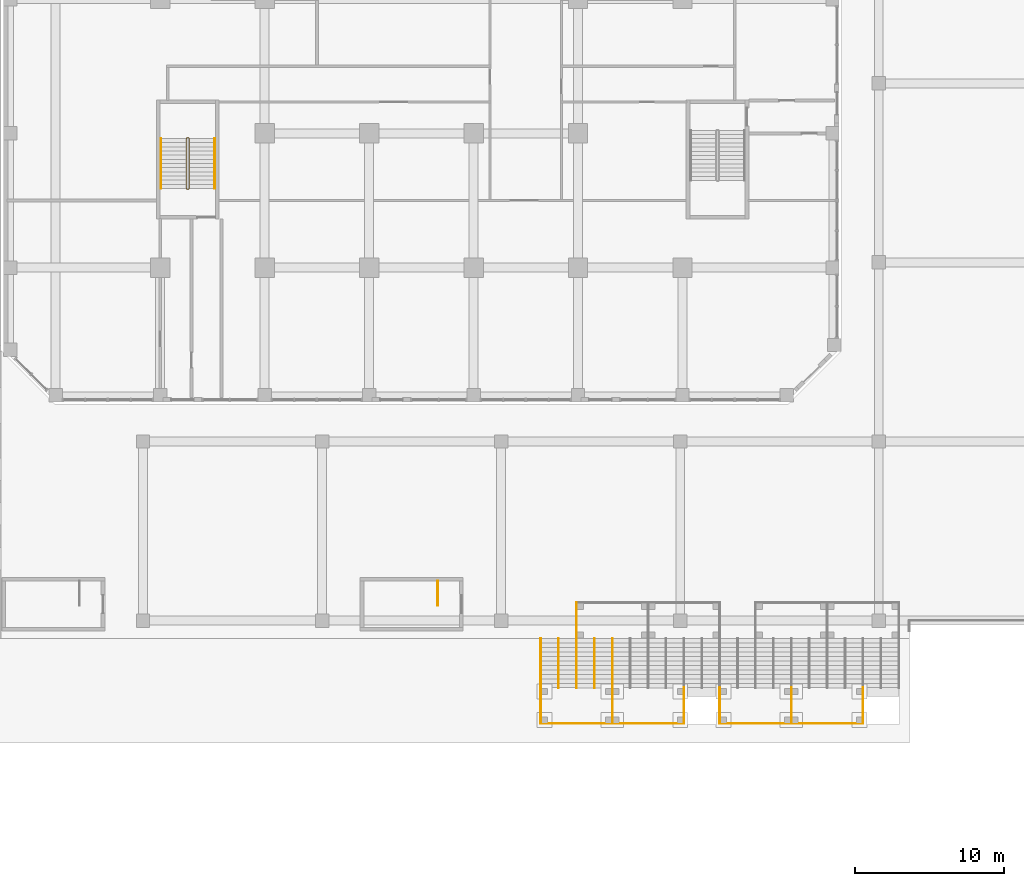
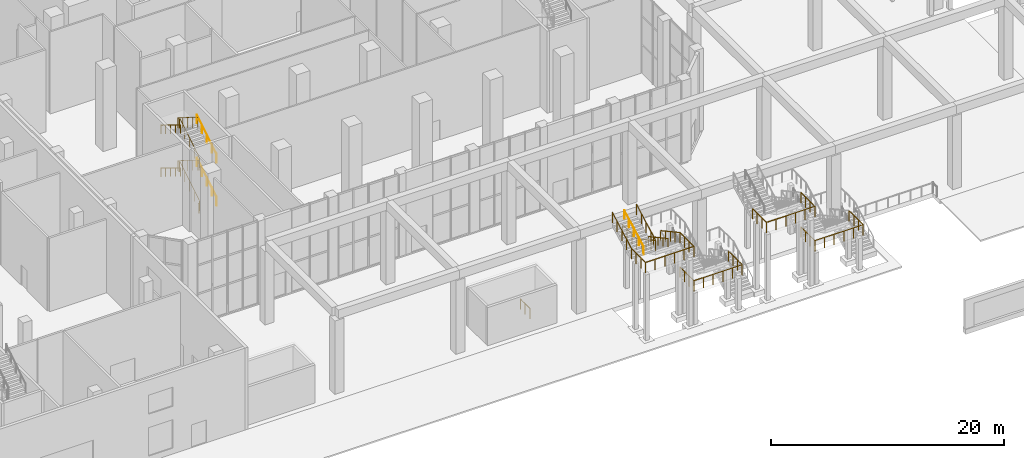
# One storey, part 32 of 43: 25 railings.
"""IFC4 building model written with IfcOpenShell, lengths in metres."""

import ifcopenshell
import ifcopenshell.guid

model = None  # the IFC model being written
_history = None  # IfcOwnerHistory: only IFC2X3 demands one
_inside = {}  # id of a spatial element -> (the spatial element, [elements in it])
_under = {}  # id of a project, library or spatial element -> (it, [spatial elements below it])
_declared = {}  # id of a project -> (the project, [libraries it declares])
_typed = {}  # id of a type object -> (the type object, [elements of that type])
_made_of = {}  # id of a material, layer set ... -> (it, [elements and type objects made of it])


def new_model(schema):
    """Start an empty IFC model of exactly this schema.

    Asked for "IFC4X3", IfcOpenShell would pick the latest addendum, in which some entities
    have other attributes; the version numbers below select the first issue.
    IFC2X3 requires an IfcOwnerHistory on every rooted entity: one is made here for all.
    """
    global model, _history
    if schema == "IFC4X3":
        model = ifcopenshell.file(schema_version=(4, 3, 0, 0))
    else:
        model = ifcopenshell.file(schema=schema)
    _inside.clear()
    _under.clear()
    _declared.clear()
    _typed.clear()
    _made_of.clear()
    _history = None
    if model.schema == "IFC2X3":
        org = make("IfcOrganization", Name="unknown")
        user = make(
            "IfcPersonAndOrganization",
            ThePerson=make("IfcPerson", FamilyName="unknown"),
            TheOrganization=org,
        )
        app = make(
            "IfcApplication",
            ApplicationDeveloper=org,
            Version="unknown",
            ApplicationFullName="unknown",
            ApplicationIdentifier="unknown",
        )
        _history = make(
            "IfcOwnerHistory",
            OwningUser=user,
            OwningApplication=app,
            ChangeAction="ADDED",
            CreationDate=0,
        )
    return model


def make(cls, **values):
    """One entity of the class cls with the attributes given. An attribute that is None is left unset."""
    return model.create_entity(
        cls, **{name: value for name, value in values.items() if value is not None}
    )


def rooted(cls, **values):
    """An entity with a GlobalId (a new one), such as an element, a storey or a relation."""
    return make(cls, GlobalId=ifcopenshell.guid.new(), OwnerHistory=_history, **values)


def si_unit(unit_type, name, prefix=None):
    """IfcSIUnit, for example si_unit("LENGTHUNIT", "METRE", prefix="MILLI")."""
    return make("IfcSIUnit", UnitType=unit_type, Prefix=prefix, Name=name)


def assignment(units):
    """IfcUnitAssignment: the units of a project."""
    return None if units is None else make("IfcUnitAssignment", Units=units)


def point(xyz):
    """IfcCartesianPoint."""
    return None if xyz is None else make("IfcCartesianPoint", Coordinates=xyz)


def direction(xyz):
    """IfcDirection."""
    return None if xyz is None else make("IfcDirection", DirectionRatios=xyz)


def frame(location, z_axis=None, x_axis=None):
    """IfcAxis2Placement3D, a coordinate frame: its origin and axes. An axis left out is left unset."""
    return make(
        "IfcAxis2Placement3D",
        Location=point(location),
        Axis=direction(z_axis),
        RefDirection=direction(x_axis),
    )


def frame_2d(location, x_axis=None):
    """IfcAxis2Placement2D, a coordinate frame in the plane: its origin and x axis."""
    return make(
        "IfcAxis2Placement2D", Location=point(location), RefDirection=direction(x_axis)
    )


def origin():
    """The frame at (0, 0, 0) with its axes left unset."""
    return frame((0.0, 0.0, 0.0))


def origin_2d():
    """The frame at (0, 0) in the plane with its x axis left unset."""
    return frame_2d((0.0, 0.0))


def place(relative_to, where):
    """IfcLocalPlacement: puts the frame where relative to a parent placement (None: the world)."""
    return make(
        "IfcLocalPlacement", PlacementRelTo=relative_to, RelativePlacement=where
    )


def context(
    kind, dimensions, precision=None, world=None, true_north=None, identifier=None
):
    """IfcGeometricRepresentationContext, for example the 3D "Model" context."""
    return make(
        "IfcGeometricRepresentationContext",
        ContextIdentifier=identifier,
        ContextType=kind,
        CoordinateSpaceDimension=dimensions,
        Precision=precision,
        WorldCoordinateSystem=world,
        TrueNorth=true_north,
    )


def subcontext(parent, identifier, kind, view, scale=None):
    """IfcGeometricRepresentationSubContext, for example "Body" below "Model"."""
    return make(
        "IfcGeometricRepresentationSubContext",
        ContextIdentifier=identifier,
        ContextType=kind,
        ParentContext=parent,
        TargetScale=scale,
        TargetView=view,
    )


def project(units=None, contexts=None):
    """IfcProject with its units and contexts."""
    return rooted(
        "IfcProject",
        Name="project",
        RepresentationContexts=contexts,
        UnitsInContext=assignment(units),
    )


def spatial(cls, under=None, at=None, **own):
    """A site, building, storey or space (cls), placed at a placement, below another one or the project."""
    s = rooted(cls, ObjectPlacement=at, **own)
    if under is not None:
        _under.setdefault(under.id(), (under, []))[1].append(s)
    return s


def profile(cls, at=None, kind="AREA", **sizes):
    """A parametric profile (cls). Its sizes go by their IFC names, for example OverallWidth=200.0."""
    return make(cls, ProfileType=kind, Position=at, **sizes)


def circle(**sizes):
    """IfcCircleProfileDef."""
    return profile("IfcCircleProfileDef", **sizes)


def extrude(swept, where, along, depth):
    """IfcExtrudedAreaSolid: the profile swept, set in the frame where, extruded along a direction by depth."""
    return make(
        "IfcExtrudedAreaSolid",
        SweptArea=swept,
        Position=where,
        ExtrudedDirection=direction(along),
        Depth=depth,
    )


def shape(context_of_items, identifier, shape_type, items):
    """IfcShapeRepresentation: the items that make up one representation, for example the "Body"."""
    return make(
        "IfcShapeRepresentation",
        ContextOfItems=context_of_items,
        RepresentationIdentifier=identifier,
        RepresentationType=shape_type,
        Items=items,
    )


def material(Name=None, Category=None):
    """IfcMaterial."""
    return make("IfcMaterial", Name=Name, Category=Category)


def made_of(thing, what):
    """Note that an element or type object is made of a material, layer set ...; save() writes the relation."""
    if what is not None:
        _made_of.setdefault(what.id(), (what, []))[1].append(thing)
    return thing


def type_object(cls, material=None, **own):
    """A type object (cls), such as IfcWallType, which elements share."""
    return made_of(rooted(cls, **own), material)


def element(
    cls,
    number,
    at=None,
    inside=None,
    cuts=None,
    type_object=None,
    material=None,
    context=None,
    identifier="Body",
    shape_type=None,
    held_by="IfcProductDefinitionShape",
    body=None,
    shapes=None,
    **own,
):
    """One element of the class cls, such as IfcWall. Its Tag is "e" and its number.

    at: its placement. inside: the storey or other place that contains it. cuts: it is an
    opening in that element (IfcRelVoidsElement). A single representation is given by context,
    identifier, shape_type and body (its items); several are given by shapes. held_by: the class
    of the entity that holds the representations. save() writes the other relations.
    """
    e = rooted(cls, Tag="e%d" % number, ObjectPlacement=at, **own)
    if body is not None:
        shapes = [shape(context, identifier, shape_type, body)]
    if shapes is not None:
        e.Representation = make(held_by, Representations=shapes)
    if inside is not None:
        _inside.setdefault(inside.id(), (inside, []))[1].append(e)
    if cuts is not None:
        rooted(
            "IfcRelVoidsElement", RelatingBuildingElement=cuts, RelatedOpeningElement=e
        )
    if type_object is not None:
        _typed.setdefault(type_object.id(), (type_object, []))[1].append(e)
    return made_of(e, material)


def aggregate(whole, parts):
    """IfcRelAggregates: a whole, such as a stair, and the parts it consists of."""
    return rooted("IfcRelAggregates", RelatingObject=whole, RelatedObjects=parts)


def save(model, path):
    """Write the relations noted so far, then the file.

    IfcRelAggregates (storeys below a building ...), IfcRelContainedInSpatialStructure (elements
    in a storey), IfcRelDefinesByType, IfcRelAssociatesMaterial and IfcRelDeclares: one each for
    every whole, place, type object, material and project.
    """
    for whole, parts in _under.values():
        aggregate(whole, parts)
    for where, things in _inside.values():
        rooted(
            "IfcRelContainedInSpatialStructure",
            RelatedElements=things,
            RelatingStructure=where,
        )
    for kind, things in _typed.values():
        rooted("IfcRelDefinesByType", RelatedObjects=things, RelatingType=kind)
    for what, things in _made_of.values():
        rooted("IfcRelAssociatesMaterial", RelatedObjects=things, RelatingMaterial=what)
    for by, libraries in _declared.values():
        rooted("IfcRelDeclares", RelatingContext=by, RelatedDefinitions=libraries)
    model.write(path)


model = new_model("IFC4")

# Units and contexts
model_context = context("Model", 3, precision=1e-05, world=origin(), true_north=direction((0.0, 1.0)))
body_context = subcontext(model_context, "Body", "Model", "MODEL_VIEW")
ifc_project = project(units=[si_unit("LENGTHUNIT", "METRE"), si_unit("AREAUNIT", "SQUARE_METRE"), si_unit("VOLUMEUNIT", "CUBIC_METRE"), si_unit("PLANEANGLEUNIT", "RADIAN"), si_unit("MASSUNIT", "GRAM", prefix="KILO")], contexts=[model_context])

# Site, building, storey
site_placement = place(None, origin())
site = spatial("IfcSite", under=ifc_project, at=site_placement, CompositionType="ELEMENT")
building_placement = place(site_placement, origin())
building = spatial("IfcBuilding", under=site, at=building_placement, Name="Kilnfold Tower and Market Hall", CompositionType="ELEMENT")
storey_placement = place(building_placement, origin())
storey = spatial("IfcBuildingStorey", under=building, at=storey_placement, Name="L00", CompositionType="ELEMENT", Elevation=0.0)

# Railings
ifc_material_1 = material(Name="Stainless steel 316", Category="steel")
railing_type_1 = type_object("IfcRailingType", Name="CAR PARK STAIR GUARD 1100", PredefinedType="GUARDRAIL", material=ifc_material_1)
railing_1_placement = place(storey_placement, frame((1.10009765625, -40.0, 0.0)))
element("IfcRailing", 1, at=railing_1_placement, inside=storey, type_object=railing_type_1, Name="L00 CS2 top well guard 1", PredefinedType="GUARDRAIL", context=body_context, shape_type="SweptSolid", body=[
    extrude(circle(Radius=0.02392578125, at=origin_2d()), frame((0.0, 0.0, 1.076171875), z_axis=(0.0, -1.0, 0.0), x_axis=(1.0, 0.0, 0.0)), (0.0, 0.0, 1.0), 1.64990234375),
    extrude(circle(Radius=0.02099609375, at=origin_2d()), origin(), (0.0, 0.0, 1.0), 1.052001953125),
    extrude(circle(Radius=0.02099609375, at=origin_2d()), frame((0.0, -0.824951171875, 0.0)), (0.0, 0.0, 1.0), 1.052001953125),
    extrude(circle(Radius=0.02099609375, at=origin_2d()), frame((0.0, -1.64990234375, 0.0)), (0.0, 0.0, 1.0), 1.052001953125),
])
ifc_material_2 = material(Name="Stainless steel 316", Category="steel")
railing_type_2 = type_object("IfcRailingType", Name="CORE STAIR GUARD 1100", PredefinedType="GUARDRAIL", material=ifc_material_2)
railing_2_placement = place(storey_placement, frame((-15.699951171875, -13.75, 0.0)))
element("IfcRailing", 2, at=railing_2_placement, inside=storey, type_object=railing_type_2, Name="L00 ST3 stair guard 1", PredefinedType="GUARDRAIL", context=body_context, shape_type="SweptSolid", body=[
    extrude(circle(Radius=0.02392578125, at=origin_2d()), frame((0.0, 0.0, 1.076171875), z_axis=(1.0, 0.0, 0.0), x_axis=(0.0, 1.0, 0.0)), (0.0, 0.0, 1.0), 0.099853515625),
    extrude(circle(Radius=0.02392578125, at=origin_2d()), frame((0.099853515625, 0.0, 1.076171875), z_axis=(0.267629722418, 0.267629722418, 0.925607186314), x_axis=(-0.707106781187, 0.707106781187, 0.0)), (0.0, 0.0, 1.0), 0.18701171875),
    extrude(circle(Radius=0.02392578125, at=origin_2d()), frame((0.14990234375, 0.050048828125, 1.2490234375), z_axis=(0.0, 0.850606129759, 0.525803396734), x_axis=(-1.0, 0.0, 0.0)), (0.0, 0.0, 1.0), 3.949951171875),
    extrude(circle(Radius=0.02392578125, at=origin_2d()), frame((0.14990234375, 3.409912109375, 3.326171875), z_axis=(-0.707106781187, 0.707106781187, 0.0), x_axis=(-0.707106781187, -0.707106781187, 0.0)), (0.0, 0.0, 1.0), 0.07080078125),
    extrude(circle(Radius=0.02392578125, at=origin_2d()), frame((0.099853515625, 3.4599609375, 3.326171875), z_axis=(-1.0, 0.0, 0.0), x_axis=(0.0, -1.0, 0.0)), (0.0, 0.0, 1.0), 0.099853515625),
    extrude(circle(Radius=0.02392578125, at=origin_2d()), frame((0.0, 3.4599609375, 3.326171875), z_axis=(-0.267629722418, -0.267629722418, 0.925607186314), x_axis=(0.707106781187, -0.707106781187, 0.0)), (0.0, 0.0, 1.0), 0.18701171875),
    extrude(circle(Radius=0.02392578125, at=origin_2d()), frame((-0.050048828125, 3.409912109375, 3.4990234375), z_axis=(0.0, -0.850606129759, 0.525803396734), x_axis=(1.0, 0.0, 0.0)), (0.0, 0.0, 1.0), 3.949951171875),
    extrude(circle(Radius=0.02392578125, at=origin_2d()), frame((-0.050048828125, 0.050048828125, 5.576171875), z_axis=(0.707106781187, -0.707106781187, 0.0), x_axis=(0.707106781187, 0.707106781187, 0.0)), (0.0, 0.0, 1.0), 0.07080078125),
    extrude(circle(Radius=0.02392578125, at=origin_2d()), frame((0.0, 0.0, 5.576171875), z_axis=(1.0, 0.0, 0.0), x_axis=(0.0, 1.0, 0.0)), (0.0, 0.0, 1.0), 0.099853515625),
    extrude(circle(Radius=0.02392578125, at=origin_2d()), frame((0.099853515625, 0.0, 5.576171875), z_axis=(0.267629722418, 0.267629722418, 0.925607186314), x_axis=(-0.707106781187, 0.707106781187, 0.0)), (0.0, 0.0, 1.0), 0.18701171875),
    extrude(circle(Radius=0.02392578125, at=origin_2d()), frame((0.14990234375, 0.050048828125, 5.7490234375), z_axis=(0.0, 0.850606129759, 0.525803396734), x_axis=(-1.0, 0.0, 0.0)), (0.0, 0.0, 1.0), 3.949951171875),
    extrude(circle(Radius=0.02392578125, at=origin_2d()), frame((0.14990234375, 3.409912109375, 7.826171875), z_axis=(-0.707106781187, 0.707106781187, 0.0), x_axis=(-0.707106781187, -0.707106781187, 0.0)), (0.0, 0.0, 1.0), 0.07080078125),
    extrude(circle(Radius=0.02392578125, at=origin_2d()), frame((0.099853515625, 3.4599609375, 7.826171875), z_axis=(-1.0, 0.0, 0.0), x_axis=(0.0, -1.0, 0.0)), (0.0, 0.0, 1.0), 0.099853515625),
    extrude(circle(Radius=0.02392578125, at=origin_2d()), frame((0.0, 3.4599609375, 7.826171875), z_axis=(-0.267629722418, -0.267629722418, 0.925607186314), x_axis=(0.707106781187, -0.707106781187, 0.0)), (0.0, 0.0, 1.0), 0.18701171875),
    extrude(circle(Radius=0.02392578125, at=origin_2d()), frame((-0.050048828125, 3.409912109375, 7.9990234375), z_axis=(0.0, -0.850606129759, 0.525803396734), x_axis=(1.0, 0.0, 0.0)), (0.0, 0.0, 1.0), 3.949951171875),
    extrude(circle(Radius=0.02099609375, at=origin_2d()), origin(), (0.0, 0.0, 1.0), 1.052001953125),
    extrude(circle(Radius=0.02099609375, at=origin_2d()), frame((0.099853515625, 0.0, 0.0)), (0.0, 0.0, 1.0), 1.052001953125),
    extrude(circle(Radius=0.02099609375, at=origin_2d()), frame((0.14990234375, 0.050048828125, 0.173095703125)), (0.0, 0.0, 1.0), 1.052001953125),
    extrude(circle(Radius=0.02099609375, at=origin_2d()), frame((0.14990234375, 0.89013671875, 0.6923828125)), (0.0, 0.0, 1.0), 1.052001953125),
    extrude(circle(Radius=0.02099609375, at=origin_2d()), frame((0.14990234375, 1.72998046875, 1.21142578125)), (0.0, 0.0, 1.0), 1.052001953125),
    extrude(circle(Radius=0.02099609375, at=origin_2d()), frame((0.14990234375, 2.56982421875, 1.730712890625)), (0.0, 0.0, 1.0), 1.052001953125),
    extrude(circle(Radius=0.02099609375, at=origin_2d()), frame((0.14990234375, 3.409912109375, 2.25)), (0.0, 0.0, 1.0), 1.052001953125),
    extrude(circle(Radius=0.02099609375, at=origin_2d()), frame((0.099853515625, 3.4599609375, 2.25)), (0.0, 0.0, 1.0), 1.052001953125),
    extrude(circle(Radius=0.02099609375, at=origin_2d()), frame((0.0, 3.4599609375, 2.25)), (0.0, 0.0, 1.0), 1.052001953125),
    extrude(circle(Radius=0.02099609375, at=origin_2d()), frame((-0.050048828125, 3.409912109375, 2.423095703125)), (0.0, 0.0, 1.0), 1.052001953125),
    extrude(circle(Radius=0.02099609375, at=origin_2d()), frame((-0.050048828125, 2.56982421875, 2.9423828125)), (0.0, 0.0, 1.0), 1.052001953125),
    extrude(circle(Radius=0.02099609375, at=origin_2d()), frame((-0.050048828125, 1.72998046875, 3.46142578125)), (0.0, 0.0, 1.0), 1.052001953125),
    extrude(circle(Radius=0.02099609375, at=origin_2d()), frame((-0.050048828125, 0.89013671875, 3.980712890625)), (0.0, 0.0, 1.0), 1.052001953125),
    extrude(circle(Radius=0.02099609375, at=origin_2d()), frame((-0.050048828125, 0.050048828125, 4.5)), (0.0, 0.0, 1.0), 1.052001953125),
    extrude(circle(Radius=0.02099609375, at=origin_2d()), frame((0.0, 0.0, 4.5)), (0.0, 0.0, 1.0), 1.052001953125),
    extrude(circle(Radius=0.02099609375, at=origin_2d()), frame((0.099853515625, 0.0, 4.5)), (0.0, 0.0, 1.0), 1.052001953125),
    extrude(circle(Radius=0.02099609375, at=origin_2d()), frame((0.14990234375, 0.050048828125, 4.673095703125)), (0.0, 0.0, 1.0), 1.052001953125),
    extrude(circle(Radius=0.02099609375, at=origin_2d()), frame((0.14990234375, 0.89013671875, 5.1923828125)), (0.0, 0.0, 1.0), 1.052001953125),
    extrude(circle(Radius=0.02099609375, at=origin_2d()), frame((0.14990234375, 1.72998046875, 5.71142578125)), (0.0, 0.0, 1.0), 1.052001953125),
    extrude(circle(Radius=0.02099609375, at=origin_2d()), frame((0.14990234375, 2.56982421875, 6.230712890625)), (0.0, 0.0, 1.0), 1.052001953125),
    extrude(circle(Radius=0.02099609375, at=origin_2d()), frame((0.14990234375, 3.409912109375, 6.75)), (0.0, 0.0, 1.0), 1.052001953125),
    extrude(circle(Radius=0.02099609375, at=origin_2d()), frame((0.099853515625, 3.4599609375, 6.75)), (0.0, 0.0, 1.0), 1.052001953125),
    extrude(circle(Radius=0.02099609375, at=origin_2d()), frame((0.0, 3.4599609375, 6.75)), (0.0, 0.0, 1.0), 1.052001953125),
    extrude(circle(Radius=0.02099609375, at=origin_2d()), frame((-0.050048828125, 3.409912109375, 6.923095703125)), (0.0, 0.0, 1.0), 1.052001953125),
    extrude(circle(Radius=0.02099609375, at=origin_2d()), frame((-0.050048828125, 2.56982421875, 7.4423828125)), (0.0, 0.0, 1.0), 1.052001953125),
    extrude(circle(Radius=0.02099609375, at=origin_2d()), frame((-0.050048828125, 1.72998046875, 7.96142578125)), (0.0, 0.0, 1.0), 1.052001953125),
    extrude(circle(Radius=0.02099609375, at=origin_2d()), frame((-0.050048828125, 0.89013671875, 8.480712890625)), (0.0, 0.0, 1.0), 1.052001953125),
    extrude(circle(Radius=0.02099609375, at=origin_2d()), frame((-0.050048828125, 0.050048828125, 9.0)), (0.0, 0.0, 1.0), 1.052001953125),
])
ifc_material_3 = material(Name="Stainless steel 316", Category="steel")
railing_type_3 = type_object("IfcRailingType", Name="CORE STAIR HANDRAIL 900", PredefinedType="HANDRAIL", material=ifc_material_3)
railing_3_placement = place(storey_placement, frame((-13.85009765625, -13.699951171875, 0.173095703125)))
element("IfcRailing", 3, at=railing_3_placement, inside=storey, type_object=railing_type_3, Name="L00 ST3 stair handrail 1", PredefinedType="HANDRAIL", context=body_context, shape_type="SweptSolid", body=[
    extrude(circle(Radius=0.02392578125, at=origin_2d()), frame((0.0, 0.0, 0.8759765625), z_axis=(0.0, 0.850606129759, 0.525803396734), x_axis=(-1.0, 0.0, 0.0)), (0.0, 0.0, 1.0), 3.949951171875),
    extrude(circle(Radius=0.02099609375, at=origin_2d()), origin(), (0.0, 0.0, 1.0), 0.851806640625),
    extrude(circle(Radius=0.02099609375, at=origin_2d()), frame((0.0, 0.83984375, 0.519287109375)), (0.0, 0.0, 1.0), 0.851806640625),
    extrude(circle(Radius=0.02099609375, at=origin_2d()), frame((0.0, 1.679931640625, 1.03857421875)), (0.0, 0.0, 1.0), 0.851806640625),
    extrude(circle(Radius=0.02099609375, at=origin_2d()), frame((0.0, 2.52001953125, 1.5576171875)), (0.0, 0.0, 1.0), 0.851806640625),
    extrude(circle(Radius=0.02099609375, at=origin_2d()), frame((0.0, 3.35986328125, 2.076904296875)), (0.0, 0.0, 1.0), 0.851806640625),
])
railing_4_placement = place(storey_placement, frame((-17.449951171875, -10.340087890625, 2.423095703125)))
element("IfcRailing", 4, at=railing_4_placement, inside=storey, type_object=railing_type_3, Name="L00 ST3 stair handrail 2", PredefinedType="HANDRAIL", context=body_context, shape_type="SweptSolid", body=[
    extrude(circle(Radius=0.02392578125, at=origin_2d()), frame((0.0, 0.0, 0.8759765625), z_axis=(0.0, -0.850606129759, 0.525803396734), x_axis=(1.0, 0.0, 0.0)), (0.0, 0.0, 1.0), 3.949951171875),
    extrude(circle(Radius=0.02099609375, at=origin_2d()), origin(), (0.0, 0.0, 1.0), 0.851806640625),
    extrude(circle(Radius=0.02099609375, at=origin_2d()), frame((0.0, -0.83984375, 0.519287109375)), (0.0, 0.0, 1.0), 0.851806640625),
    extrude(circle(Radius=0.02099609375, at=origin_2d()), frame((0.0, -1.679931640625, 1.03857421875)), (0.0, 0.0, 1.0), 0.851806640625),
    extrude(circle(Radius=0.02099609375, at=origin_2d()), frame((0.0, -2.52001953125, 1.5576171875)), (0.0, 0.0, 1.0), 0.851806640625),
    extrude(circle(Radius=0.02099609375, at=origin_2d()), frame((0.0, -3.35986328125, 2.076904296875)), (0.0, 0.0, 1.0), 0.851806640625),
])
railing_5_placement = place(storey_placement, frame((-13.85009765625, -13.699951171875, 4.673095703125)))
element("IfcRailing", 5, at=railing_5_placement, inside=storey, type_object=railing_type_3, Name="L00 ST3 stair handrail 3", PredefinedType="HANDRAIL", context=body_context, shape_type="SweptSolid", body=[
    extrude(circle(Radius=0.02392578125, at=origin_2d()), frame((0.0, 0.0, 0.8759765625), z_axis=(0.0, 0.850606129759, 0.525803396734), x_axis=(-1.0, 0.0, 0.0)), (0.0, 0.0, 1.0), 3.949951171875),
    extrude(circle(Radius=0.02099609375, at=origin_2d()), origin(), (0.0, 0.0, 1.0), 0.851806640625),
    extrude(circle(Radius=0.02099609375, at=origin_2d()), frame((0.0, 0.83984375, 0.519287109375)), (0.0, 0.0, 1.0), 0.851806640625),
    extrude(circle(Radius=0.02099609375, at=origin_2d()), frame((0.0, 1.679931640625, 1.03857421875)), (0.0, 0.0, 1.0), 0.851806640625),
    extrude(circle(Radius=0.02099609375, at=origin_2d()), frame((0.0, 2.52001953125, 1.5576171875)), (0.0, 0.0, 1.0), 0.851806640625),
    extrude(circle(Radius=0.02099609375, at=origin_2d()), frame((0.0, 3.35986328125, 2.076904296875)), (0.0, 0.0, 1.0), 0.851806640625),
])
railing_6_placement = place(storey_placement, frame((-17.449951171875, -10.340087890625, 6.923095703125)))
element("IfcRailing", 6, at=railing_6_placement, inside=storey, type_object=railing_type_3, Name="L00 ST3 stair handrail 4", PredefinedType="HANDRAIL", context=body_context, shape_type="SweptSolid", body=[
    extrude(circle(Radius=0.02392578125, at=origin_2d()), frame((0.0, 0.0, 0.8759765625), z_axis=(0.0, -0.850606129759, 0.525803396734), x_axis=(1.0, 0.0, 0.0)), (0.0, 0.0, 1.0), 3.949951171875),
    extrude(circle(Radius=0.02099609375, at=origin_2d()), origin(), (0.0, 0.0, 1.0), 0.851806640625),
    extrude(circle(Radius=0.02099609375, at=origin_2d()), frame((0.0, -0.83984375, 0.519287109375)), (0.0, 0.0, 1.0), 0.851806640625),
    extrude(circle(Radius=0.02099609375, at=origin_2d()), frame((0.0, -1.679931640625, 1.03857421875)), (0.0, 0.0, 1.0), 0.851806640625),
    extrude(circle(Radius=0.02099609375, at=origin_2d()), frame((0.0, -2.52001953125, 1.5576171875)), (0.0, 0.0, 1.0), 0.851806640625),
    extrude(circle(Radius=0.02099609375, at=origin_2d()), frame((0.0, -3.35986328125, 2.076904296875)), (0.0, 0.0, 1.0), 0.851806640625),
])
ifc_material_4 = material(Name="Stainless steel 316", Category="steel")
railing_type_4 = type_object("IfcRailingType", Name="DECK GUARD 1100", PredefinedType="GUARDRAIL", material=ifc_material_4)
railing_7_placement = place(storey_placement, frame((10.39990234375, -43.85009765625, 9.0)))
element("IfcRailing", 7, at=railing_7_placement, inside=storey, type_object=railing_type_4, Name="Garden stair GS-S1 guard 1", PredefinedType="GUARDRAIL", context=body_context, shape_type="SweptSolid", body=[
    extrude(circle(Radius=0.02392578125, at=origin_2d()), frame((0.0, 0.0, 1.076171875), z_axis=(0.0, -0.8778781969, -0.478883985332), x_axis=(1.0, 0.0, 0.0)), (0.0, 0.0, 1.0), 3.7587890625),
    extrude(circle(Radius=0.02099609375, at=origin_2d()), origin(), (0.0, 0.0, 1.0), 1.052001953125),
    extrude(circle(Radius=0.02099609375, at=origin_2d()), frame((0.0, -0.824951171875, -0.449951171875)), (0.0, 0.0, 1.0), 1.052001953125),
    extrude(circle(Radius=0.02099609375, at=origin_2d()), frame((0.0, -1.64990234375, -0.89990234375)), (0.0, 0.0, 1.0), 1.052001953125),
    extrude(circle(Radius=0.02099609375, at=origin_2d()), frame((0.0, -2.474853515625, -1.35009765625)), (0.0, 0.0, 1.0), 1.052001953125),
    extrude(circle(Radius=0.02099609375, at=origin_2d()), frame((0.0, -3.2998046875, -1.800048828125)), (0.0, 0.0, 1.0), 1.052001953125),
])
railing_8_placement = place(storey_placement, frame((8.0, -47.14990234375, 7.199951171875)))
element("IfcRailing", 8, at=railing_8_placement, inside=storey, type_object=railing_type_4, Name="Garden stair GS-S1 guard 2", PredefinedType="GUARDRAIL", context=body_context, shape_type="SweptSolid", body=[
    extrude(circle(Radius=0.02392578125, at=origin_2d()), frame((0.0, 0.0, 1.076171875), z_axis=(0.0, 0.8778781969, 0.478883985332), x_axis=(-1.0, 0.0, 0.0)), (0.0, 0.0, 1.0), 3.7587890625),
    extrude(circle(Radius=0.02099609375, at=origin_2d()), origin(), (0.0, 0.0, 1.0), 1.052001953125),
    extrude(circle(Radius=0.02099609375, at=origin_2d()), frame((0.0, 0.824951171875, 0.449951171875)), (0.0, 0.0, 1.0), 1.052001953125),
    extrude(circle(Radius=0.02099609375, at=origin_2d()), frame((0.0, 1.64990234375, 0.89990234375)), (0.0, 0.0, 1.0), 1.052001953125),
    extrude(circle(Radius=0.02099609375, at=origin_2d()), frame((0.0, 2.474853515625, 1.35009765625)), (0.0, 0.0, 1.0), 1.052001953125),
    extrude(circle(Radius=0.02099609375, at=origin_2d()), frame((0.0, 3.2998046875, 1.800048828125)), (0.0, 0.0, 1.0), 1.052001953125),
])
railing_9_placement = place(storey_placement, frame((12.800048828125, -43.85009765625, 5.39990234375)))
element("IfcRailing", 9, at=railing_9_placement, inside=storey, type_object=railing_type_4, Name="Garden stair GS-S1 guard 3", PredefinedType="GUARDRAIL", context=body_context, shape_type="SweptSolid", body=[
    extrude(circle(Radius=0.02392578125, at=origin_2d()), frame((0.0, 0.0, 1.076171875), z_axis=(0.0, -0.8778781969, 0.478883985332), x_axis=(1.0, 0.0, 0.0)), (0.0, 0.0, 1.0), 3.7587890625),
    extrude(circle(Radius=0.02099609375, at=origin_2d()), origin(), (0.0, 0.0, 1.0), 1.052001953125),
    extrude(circle(Radius=0.02099609375, at=origin_2d()), frame((0.0, -0.824951171875, 0.449951171875)), (0.0, 0.0, 1.0), 1.052001953125),
    extrude(circle(Radius=0.02099609375, at=origin_2d()), frame((0.0, -1.64990234375, 0.89990234375)), (0.0, 0.0, 1.0), 1.052001953125),
    extrude(circle(Radius=0.02099609375, at=origin_2d()), frame((0.0, -2.474853515625, 1.35009765625)), (0.0, 0.0, 1.0), 1.052001953125),
    extrude(circle(Radius=0.02099609375, at=origin_2d()), frame((0.0, -3.2998046875, 1.800048828125)), (0.0, 0.0, 1.0), 1.052001953125),
])
railing_10_placement = place(storey_placement, frame((10.39990234375, -47.14990234375, 7.199951171875)))
element("IfcRailing", 10, at=railing_10_placement, inside=storey, type_object=railing_type_4, Name="Garden stair GS-S1 guard 4", PredefinedType="GUARDRAIL", context=body_context, shape_type="SweptSolid", body=[
    extrude(circle(Radius=0.02392578125, at=origin_2d()), frame((0.0, 0.0, 1.076171875), z_axis=(0.0, 0.8778781969, -0.478883985332), x_axis=(-1.0, 0.0, 0.0)), (0.0, 0.0, 1.0), 3.7587890625),
    extrude(circle(Radius=0.02099609375, at=origin_2d()), origin(), (0.0, 0.0, 1.0), 1.052001953125),
    extrude(circle(Radius=0.02099609375, at=origin_2d()), frame((0.0, 0.824951171875, -0.449951171875)), (0.0, 0.0, 1.0), 1.052001953125),
    extrude(circle(Radius=0.02099609375, at=origin_2d()), frame((0.0, 1.64990234375, -0.89990234375)), (0.0, 0.0, 1.0), 1.052001953125),
    extrude(circle(Radius=0.02099609375, at=origin_2d()), frame((0.0, 2.474853515625, -1.35009765625)), (0.0, 0.0, 1.0), 1.052001953125),
    extrude(circle(Radius=0.02099609375, at=origin_2d()), frame((0.0, 3.2998046875, -1.800048828125)), (0.0, 0.0, 1.0), 1.052001953125),
])
railing_11_placement = place(storey_placement, frame((12.800048828125, -47.14990234375, 7.199951171875)))
element("IfcRailing", 11, at=railing_11_placement, inside=storey, type_object=railing_type_4, Name="Garden stair GS-S1 guard 11", PredefinedType="GUARDRAIL", context=body_context, shape_type="SweptSolid", body=[
    extrude(circle(Radius=0.02392578125, at=origin_2d()), frame((0.0, 0.0, 1.076171875), z_axis=(0.0, -1.0, 0.0), x_axis=(1.0, 0.0, 0.0)), (0.0, 0.0, 1.0), 2.400146484375),
    extrude(circle(Radius=0.02099609375, at=origin_2d()), origin(), (0.0, 0.0, 1.0), 1.052001953125),
    extrude(circle(Radius=0.02099609375, at=origin_2d()), frame((0.0, -0.800048828125, 0.0)), (0.0, 0.0, 1.0), 1.052001953125),
    extrude(circle(Radius=0.02099609375, at=origin_2d()), frame((0.0, -1.60009765625, 0.0)), (0.0, 0.0, 1.0), 1.052001953125),
    extrude(circle(Radius=0.02099609375, at=origin_2d()), frame((0.0, -2.400146484375, 0.0)), (0.0, 0.0, 1.0), 1.052001953125),
])
railing_12_placement = place(storey_placement, frame((12.800048828125, -49.550048828125, 7.199951171875)))
element("IfcRailing", 12, at=railing_12_placement, inside=storey, type_object=railing_type_4, Name="Garden stair GS-S1 guard 12", PredefinedType="GUARDRAIL", context=body_context, shape_type="SweptSolid", body=[
    extrude(circle(Radius=0.02392578125, at=origin_2d()), frame((0.0, 0.0, 1.076171875), z_axis=(-1.0, 0.0, 0.0), x_axis=(0.0, -1.0, 0.0)), (0.0, 0.0, 1.0), 4.800048828125),
    extrude(circle(Radius=0.02099609375, at=origin_2d()), origin(), (0.0, 0.0, 1.0), 1.052001953125),
    extrude(circle(Radius=0.02099609375, at=origin_2d()), frame((-0.9599609375, 0.0, 0.0)), (0.0, 0.0, 1.0), 1.052001953125),
    extrude(circle(Radius=0.02099609375, at=origin_2d()), frame((-1.919921875, 0.0, 0.0)), (0.0, 0.0, 1.0), 1.052001953125),
    extrude(circle(Radius=0.02099609375, at=origin_2d()), frame((-2.880126953125, 0.0, 0.0)), (0.0, 0.0, 1.0), 1.052001953125),
    extrude(circle(Radius=0.02099609375, at=origin_2d()), frame((-3.840087890625, 0.0, 0.0)), (0.0, 0.0, 1.0), 1.052001953125),
    extrude(circle(Radius=0.02099609375, at=origin_2d()), frame((-4.800048828125, 0.0, 0.0)), (0.0, 0.0, 1.0), 1.052001953125),
])
for number, where, name in (
    (13, (8.0, -49.550048828125, 7.199951171875), "Garden stair GS-S1 guard 13"),
    (14, (10.39990234375, -43.85009765625, 5.39990234375), "Garden stair GS-S1 guard 16"),
):
    element("IfcRailing", number, at=place(storey_placement, frame(where)), inside=storey, type_object=railing_type_4, Name=name, PredefinedType="GUARDRAIL", context=body_context, shape_type="SweptSolid", body=[
        extrude(circle(Radius=0.02392578125, at=origin_2d()), frame((0.0, 0.0, 1.076171875), z_axis=(0.0, 1.0, 0.0), x_axis=(-1.0, 0.0, 0.0)), (0.0, 0.0, 1.0), 2.400146484375),
        extrude(circle(Radius=0.02099609375, at=origin_2d()), origin(), (0.0, 0.0, 1.0), 1.052001953125),
        extrude(circle(Radius=0.02099609375, at=origin_2d()), frame((0.0, 0.800048828125, 0.0)), (0.0, 0.0, 1.0), 1.052001953125),
        extrude(circle(Radius=0.02099609375, at=origin_2d()), frame((0.0, 1.60009765625, 0.0)), (0.0, 0.0, 1.0), 1.052001953125),
        extrude(circle(Radius=0.02099609375, at=origin_2d()), frame((0.0, 2.400146484375, 0.0)), (0.0, 0.0, 1.0), 1.052001953125),
    ])
railing_13_placement = place(storey_placement, frame((17.60009765625, -47.14990234375, 3.60009765625)))
element("IfcRailing", 15, at=railing_13_placement, inside=storey, type_object=railing_type_4, Name="Garden stair GS-S1 guard 17", PredefinedType="GUARDRAIL", context=body_context, shape_type="SweptSolid", body=[
    extrude(circle(Radius=0.02392578125, at=origin_2d()), frame((0.0, 0.0, 1.076171875), z_axis=(0.0, -1.0, 0.0), x_axis=(1.0, 0.0, 0.0)), (0.0, 0.0, 1.0), 2.400146484375),
    extrude(circle(Radius=0.02099609375, at=origin_2d()), origin(), (0.0, 0.0, 1.0), 1.052001953125),
    extrude(circle(Radius=0.02099609375, at=origin_2d()), frame((0.0, -0.800048828125, 0.0)), (0.0, 0.0, 1.0), 1.052001953125),
    extrude(circle(Radius=0.02099609375, at=origin_2d()), frame((0.0, -1.60009765625, 0.0)), (0.0, 0.0, 1.0), 1.052001953125),
    extrude(circle(Radius=0.02099609375, at=origin_2d()), frame((0.0, -2.400146484375, 0.0)), (0.0, 0.0, 1.0), 1.052001953125),
])
railing_14_placement = place(storey_placement, frame((17.60009765625, -49.550048828125, 3.60009765625)))
element("IfcRailing", 16, at=railing_14_placement, inside=storey, type_object=railing_type_4, Name="Garden stair GS-S1 guard 18", PredefinedType="GUARDRAIL", context=body_context, shape_type="SweptSolid", body=[
    extrude(circle(Radius=0.02392578125, at=origin_2d()), frame((0.0, 0.0, 1.076171875), z_axis=(-1.0, 0.0, 0.0), x_axis=(0.0, -1.0, 0.0)), (0.0, 0.0, 1.0), 4.800048828125),
    extrude(circle(Radius=0.02099609375, at=origin_2d()), origin(), (0.0, 0.0, 1.0), 1.052001953125),
    extrude(circle(Radius=0.02099609375, at=origin_2d()), frame((-0.9599609375, 0.0, 0.0)), (0.0, 0.0, 1.0), 1.052001953125),
    extrude(circle(Radius=0.02099609375, at=origin_2d()), frame((-1.919921875, 0.0, 0.0)), (0.0, 0.0, 1.0), 1.052001953125),
    extrude(circle(Radius=0.02099609375, at=origin_2d()), frame((-2.880126953125, 0.0, 0.0)), (0.0, 0.0, 1.0), 1.052001953125),
    extrude(circle(Radius=0.02099609375, at=origin_2d()), frame((-3.840087890625, 0.0, 0.0)), (0.0, 0.0, 1.0), 1.052001953125),
    extrude(circle(Radius=0.02099609375, at=origin_2d()), frame((-4.800048828125, 0.0, 0.0)), (0.0, 0.0, 1.0), 1.052001953125),
])
railing_15_placement = place(storey_placement, frame((12.800048828125, -49.550048828125, 3.60009765625)))
element("IfcRailing", 17, at=railing_15_placement, inside=storey, type_object=railing_type_4, Name="Garden stair GS-S1 guard 19", PredefinedType="GUARDRAIL", context=body_context, shape_type="SweptSolid", body=[
    extrude(circle(Radius=0.02392578125, at=origin_2d()), frame((0.0, 0.0, 1.076171875), z_axis=(0.0, 1.0, 0.0), x_axis=(-1.0, 0.0, 0.0)), (0.0, 0.0, 1.0), 2.400146484375),
    extrude(circle(Radius=0.02099609375, at=origin_2d()), origin(), (0.0, 0.0, 1.0), 1.052001953125),
    extrude(circle(Radius=0.02099609375, at=origin_2d()), frame((0.0, 0.800048828125, 0.0)), (0.0, 0.0, 1.0), 1.052001953125),
    extrude(circle(Radius=0.02099609375, at=origin_2d()), frame((0.0, 1.60009765625, 0.0)), (0.0, 0.0, 1.0), 1.052001953125),
    extrude(circle(Radius=0.02099609375, at=origin_2d()), frame((0.0, 2.400146484375, 0.0)), (0.0, 0.0, 1.0), 1.052001953125),
])
railing_16_placement = place(storey_placement, frame((24.800048828125, -47.14990234375, 7.199951171875)))
element("IfcRailing", 18, at=railing_16_placement, inside=storey, type_object=railing_type_4, Name="Garden stair GS-S2 guard 11", PredefinedType="GUARDRAIL", context=body_context, shape_type="SweptSolid", body=[
    extrude(circle(Radius=0.02392578125, at=origin_2d()), frame((0.0, 0.0, 1.076171875), z_axis=(0.0, -1.0, 0.0), x_axis=(1.0, 0.0, 0.0)), (0.0, 0.0, 1.0), 2.400146484375),
    extrude(circle(Radius=0.02099609375, at=origin_2d()), origin(), (0.0, 0.0, 1.0), 1.052001953125),
    extrude(circle(Radius=0.02099609375, at=origin_2d()), frame((0.0, -0.800048828125, 0.0)), (0.0, 0.0, 1.0), 1.052001953125),
    extrude(circle(Radius=0.02099609375, at=origin_2d()), frame((0.0, -1.60009765625, 0.0)), (0.0, 0.0, 1.0), 1.052001953125),
    extrude(circle(Radius=0.02099609375, at=origin_2d()), frame((0.0, -2.400146484375, 0.0)), (0.0, 0.0, 1.0), 1.052001953125),
])
railing_17_placement = place(storey_placement, frame((24.800048828125, -49.550048828125, 7.199951171875)))
element("IfcRailing", 19, at=railing_17_placement, inside=storey, type_object=railing_type_4, Name="Garden stair GS-S2 guard 12", PredefinedType="GUARDRAIL", context=body_context, shape_type="SweptSolid", body=[
    extrude(circle(Radius=0.02392578125, at=origin_2d()), frame((0.0, 0.0, 1.076171875), z_axis=(-1.0, 0.0, 0.0), x_axis=(0.0, -1.0, 0.0)), (0.0, 0.0, 1.0), 4.800048828125),
    extrude(circle(Radius=0.02099609375, at=origin_2d()), origin(), (0.0, 0.0, 1.0), 1.052001953125),
    extrude(circle(Radius=0.02099609375, at=origin_2d()), frame((-0.9599609375, 0.0, 0.0)), (0.0, 0.0, 1.0), 1.052001953125),
    extrude(circle(Radius=0.02099609375, at=origin_2d()), frame((-1.919921875, 0.0, 0.0)), (0.0, 0.0, 1.0), 1.052001953125),
    extrude(circle(Radius=0.02099609375, at=origin_2d()), frame((-2.880126953125, 0.0, 0.0)), (0.0, 0.0, 1.0), 1.052001953125),
    extrude(circle(Radius=0.02099609375, at=origin_2d()), frame((-3.840087890625, 0.0, 0.0)), (0.0, 0.0, 1.0), 1.052001953125),
    extrude(circle(Radius=0.02099609375, at=origin_2d()), frame((-4.800048828125, 0.0, 0.0)), (0.0, 0.0, 1.0), 1.052001953125),
])
railing_18_placement = place(storey_placement, frame((20.0, -49.550048828125, 7.199951171875)))
element("IfcRailing", 20, at=railing_18_placement, inside=storey, type_object=railing_type_4, Name="Garden stair GS-S2 guard 13", PredefinedType="GUARDRAIL", context=body_context, shape_type="SweptSolid", body=[
    extrude(circle(Radius=0.02392578125, at=origin_2d()), frame((0.0, 0.0, 1.076171875), z_axis=(0.0, 1.0, 0.0), x_axis=(-1.0, 0.0, 0.0)), (0.0, 0.0, 1.0), 2.400146484375),
    extrude(circle(Radius=0.02099609375, at=origin_2d()), origin(), (0.0, 0.0, 1.0), 1.052001953125),
    extrude(circle(Radius=0.02099609375, at=origin_2d()), frame((0.0, 0.800048828125, 0.0)), (0.0, 0.0, 1.0), 1.052001953125),
    extrude(circle(Radius=0.02099609375, at=origin_2d()), frame((0.0, 1.60009765625, 0.0)), (0.0, 0.0, 1.0), 1.052001953125),
    extrude(circle(Radius=0.02099609375, at=origin_2d()), frame((0.0, 2.400146484375, 0.0)), (0.0, 0.0, 1.0), 1.052001953125),
])
railing_19_placement = place(storey_placement, frame((29.60009765625, -47.14990234375, 3.60009765625)))
element("IfcRailing", 21, at=railing_19_placement, inside=storey, type_object=railing_type_4, Name="Garden stair GS-S2 guard 17", PredefinedType="GUARDRAIL", context=body_context, shape_type="SweptSolid", body=[
    extrude(circle(Radius=0.02392578125, at=origin_2d()), frame((0.0, 0.0, 1.076171875), z_axis=(0.0, -1.0, 0.0), x_axis=(1.0, 0.0, 0.0)), (0.0, 0.0, 1.0), 2.400146484375),
    extrude(circle(Radius=0.02099609375, at=origin_2d()), origin(), (0.0, 0.0, 1.0), 1.052001953125),
    extrude(circle(Radius=0.02099609375, at=origin_2d()), frame((0.0, -0.800048828125, 0.0)), (0.0, 0.0, 1.0), 1.052001953125),
    extrude(circle(Radius=0.02099609375, at=origin_2d()), frame((0.0, -1.60009765625, 0.0)), (0.0, 0.0, 1.0), 1.052001953125),
    extrude(circle(Radius=0.02099609375, at=origin_2d()), frame((0.0, -2.400146484375, 0.0)), (0.0, 0.0, 1.0), 1.052001953125),
])
railing_20_placement = place(storey_placement, frame((29.60009765625, -49.550048828125, 3.60009765625)))
element("IfcRailing", 22, at=railing_20_placement, inside=storey, type_object=railing_type_4, Name="Garden stair GS-S2 guard 18", PredefinedType="GUARDRAIL", context=body_context, shape_type="SweptSolid", body=[
    extrude(circle(Radius=0.02392578125, at=origin_2d()), frame((0.0, 0.0, 1.076171875), z_axis=(-1.0, 0.0, 0.0), x_axis=(0.0, -1.0, 0.0)), (0.0, 0.0, 1.0), 4.800048828125),
    extrude(circle(Radius=0.02099609375, at=origin_2d()), origin(), (0.0, 0.0, 1.0), 1.052001953125),
    extrude(circle(Radius=0.02099609375, at=origin_2d()), frame((-0.9599609375, 0.0, 0.0)), (0.0, 0.0, 1.0), 1.052001953125),
    extrude(circle(Radius=0.02099609375, at=origin_2d()), frame((-1.919921875, 0.0, 0.0)), (0.0, 0.0, 1.0), 1.052001953125),
    extrude(circle(Radius=0.02099609375, at=origin_2d()), frame((-2.880126953125, 0.0, 0.0)), (0.0, 0.0, 1.0), 1.052001953125),
    extrude(circle(Radius=0.02099609375, at=origin_2d()), frame((-3.840087890625, 0.0, 0.0)), (0.0, 0.0, 1.0), 1.052001953125),
    extrude(circle(Radius=0.02099609375, at=origin_2d()), frame((-4.800048828125, 0.0, 0.0)), (0.0, 0.0, 1.0), 1.052001953125),
])
railing_21_placement = place(storey_placement, frame((24.800048828125, -49.550048828125, 3.60009765625)))
element("IfcRailing", 23, at=railing_21_placement, inside=storey, type_object=railing_type_4, Name="Garden stair GS-S2 guard 19", PredefinedType="GUARDRAIL", context=body_context, shape_type="SweptSolid", body=[
    extrude(circle(Radius=0.02392578125, at=origin_2d()), frame((0.0, 0.0, 1.076171875), z_axis=(0.0, 1.0, 0.0), x_axis=(-1.0, 0.0, 0.0)), (0.0, 0.0, 1.0), 2.400146484375),
    extrude(circle(Radius=0.02099609375, at=origin_2d()), origin(), (0.0, 0.0, 1.0), 1.052001953125),
    extrude(circle(Radius=0.02099609375, at=origin_2d()), frame((0.0, 0.800048828125, 0.0)), (0.0, 0.0, 1.0), 1.052001953125),
    extrude(circle(Radius=0.02099609375, at=origin_2d()), frame((0.0, 1.60009765625, 0.0)), (0.0, 0.0, 1.0), 1.052001953125),
    extrude(circle(Radius=0.02099609375, at=origin_2d()), frame((0.0, 2.400146484375, 0.0)), (0.0, 0.0, 1.0), 1.052001953125),
])
ifc_material_5 = material(Name="Stainless steel 316", Category="steel")
railing_type_5 = type_object("IfcRailingType", Name="GARDEN STAIR HANDRAIL 900", PredefinedType="HANDRAIL", material=ifc_material_5)
railing_22_placement = place(storey_placement, frame((9.199951171875, -43.85009765625, 9.0)))
element("IfcRailing", 24, at=railing_22_placement, inside=storey, type_object=railing_type_5, Name="Garden stair GS-S1 handrail 1", PredefinedType="HANDRAIL", context=body_context, shape_type="SweptSolid", body=[
    extrude(circle(Radius=0.02392578125, at=origin_2d()), frame((0.0, 0.0, 0.8759765625), z_axis=(0.0, -0.8778781969, -0.478883985332), x_axis=(1.0, 0.0, 0.0)), (0.0, 0.0, 1.0), 3.7587890625),
    extrude(circle(Radius=0.02099609375, at=origin_2d()), origin(), (0.0, 0.0, 1.0), 0.851806640625),
    extrude(circle(Radius=0.02099609375, at=origin_2d()), frame((0.0, -0.824951171875, -0.449951171875)), (0.0, 0.0, 1.0), 0.851806640625),
    extrude(circle(Radius=0.02099609375, at=origin_2d()), frame((0.0, -1.64990234375, -0.89990234375)), (0.0, 0.0, 1.0), 0.851806640625),
    extrude(circle(Radius=0.02099609375, at=origin_2d()), frame((0.0, -2.474853515625, -1.35009765625)), (0.0, 0.0, 1.0), 0.851806640625),
    extrude(circle(Radius=0.02099609375, at=origin_2d()), frame((0.0, -3.2998046875, -1.800048828125)), (0.0, 0.0, 1.0), 0.851806640625),
])
railing_23_placement = place(storey_placement, frame((11.60009765625, -43.85009765625, 5.39990234375)))
element("IfcRailing", 25, at=railing_23_placement, inside=storey, type_object=railing_type_5, Name="Garden stair GS-S1 handrail 3", PredefinedType="HANDRAIL", context=body_context, shape_type="SweptSolid", body=[
    extrude(circle(Radius=0.02392578125, at=origin_2d()), frame((0.0, 0.0, 0.8759765625), z_axis=(0.0, -0.8778781969, 0.478883985332), x_axis=(1.0, 0.0, 0.0)), (0.0, 0.0, 1.0), 3.7587890625),
    extrude(circle(Radius=0.02099609375, at=origin_2d()), origin(), (0.0, 0.0, 1.0), 0.851806640625),
    extrude(circle(Radius=0.02099609375, at=origin_2d()), frame((0.0, -0.824951171875, 0.449951171875)), (0.0, 0.0, 1.0), 0.851806640625),
    extrude(circle(Radius=0.02099609375, at=origin_2d()), frame((0.0, -1.64990234375, 0.89990234375)), (0.0, 0.0, 1.0), 0.851806640625),
    extrude(circle(Radius=0.02099609375, at=origin_2d()), frame((0.0, -2.474853515625, 1.35009765625)), (0.0, 0.0, 1.0), 0.851806640625),
    extrude(circle(Radius=0.02099609375, at=origin_2d()), frame((0.0, -3.2998046875, 1.800048828125)), (0.0, 0.0, 1.0), 0.851806640625),
])

save(model, "model.ifc")
